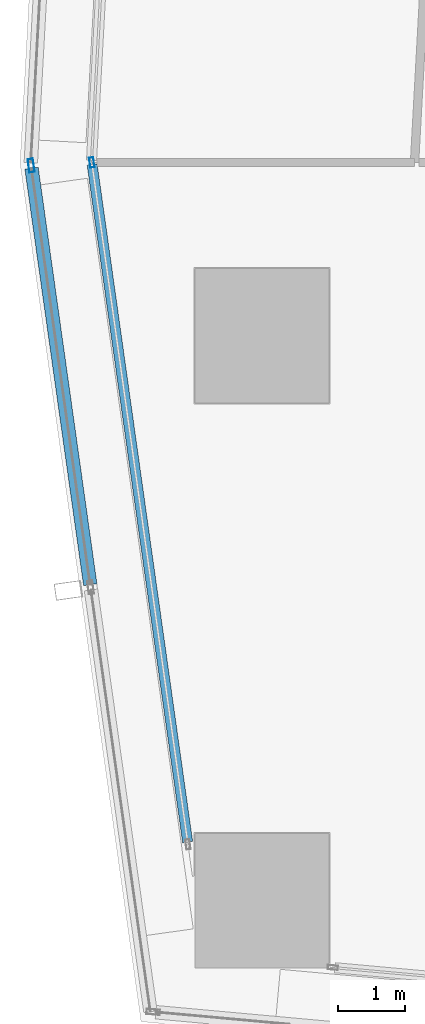
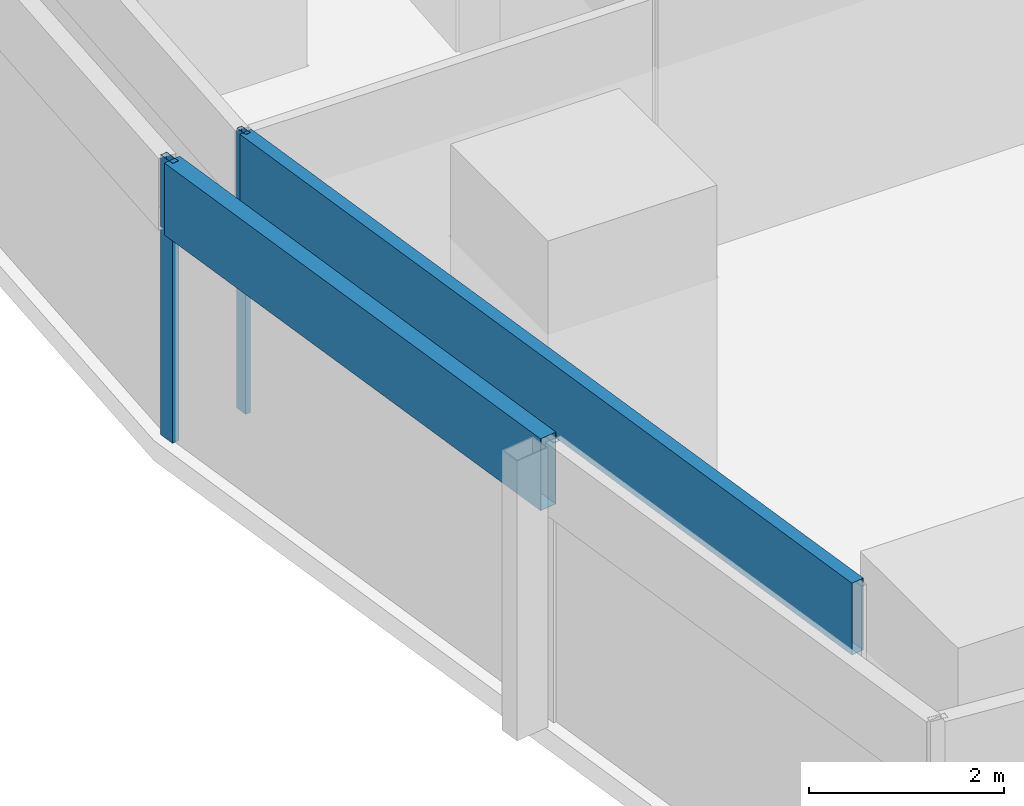
# One storey, part 4 of 39: 4 members, 2 elements without a shape of their own.
"""IFC4 building model written with IfcOpenShell, lengths in metres."""

from ifc_helpers import new_model, si_unit, direction, frame, origin, origin_2d, place, context, subcontext, project, spatial, hollow_rectangle, extrude, material, material_profile, profile_set, type_object, element, aggregate, save


model = new_model("IFC4")

# Units and contexts
model_context = context("Model", 3, precision=1e-05, world=origin(), true_north=direction((0.0, 1.0)))
body_context = subcontext(model_context, "Body", "Model", "MODEL_VIEW")
ifc_project = project(units=[si_unit("LENGTHUNIT", "METRE"), si_unit("AREAUNIT", "SQUARE_METRE"), si_unit("VOLUMEUNIT", "CUBIC_METRE"), si_unit("PLANEANGLEUNIT", "RADIAN"), si_unit("MASSUNIT", "GRAM", prefix="KILO")], contexts=[model_context])

# Site, building, storey
site_placement = place(None, origin())
site = spatial("IfcSite", under=ifc_project, at=site_placement, CompositionType="ELEMENT")
building_placement = place(site_placement, origin())
building = spatial("IfcBuilding", under=site, at=building_placement, Name="Rekha Terrace Tower", CompositionType="ELEMENT")
storey_placement = place(building_placement, frame((0.0, 0.0, 151.550048828125)))
storey = spatial("IfcBuildingStorey", under=building, at=storey_placement, Name="L38", CompositionType="ELEMENT", Elevation=151.550048828125)

# Curtain wall, members
ifc_material_1 = material(Name="Aluminium framing", Category="aluminium")
curtain_wall_type_1 = type_object("IfcCurtainWallType", Name="CW1 double skin inner glazing", PredefinedType="USERDEFINED", material=ifc_material_1)
curtain_wall_1_placement = place(storey_placement, origin())
curtain_wall_1 = element("IfcCurtainWall", 1, at=curtain_wall_1_placement, inside=storey, type_object=curtain_wall_type_1, Name="CW1 double skin inner glazing", ObjectType="DOUBLE SKIN INNER GLAZING", PredefinedType="USERDEFINED")
ifc_material_2 = material(Name="Aluminium mullion section", Category="aluminium")
ifc_material_profile_1 = material_profile(ifc_material_2, hollow_rectangle(XDim=0.06494140625, YDim=0.14990234375, WallThickness=0.00390625, at=origin_2d()), Name="AL RHS 65x150")
ifc_profile_set_1 = profile_set([ifc_material_profile_1], Name="Aluminium mullion section")
member_type_1 = type_object("IfcMemberType", Name="CW1 mullion RHS 65 x 150", PredefinedType="MULLION", material=ifc_profile_set_1)
member_1_placement = place(storey_placement, frame((5.86865234375, 27.78125, 0.0), z_axis=(0.0, 0.0, 1.0), x_axis=(0.990208394312, 0.139597048082, 0.0)))
member_1 = element("IfcMember", 2, at=member_1_placement, type_object=member_type_1, Name="CW1 mullion 1", PredefinedType="MULLION", context=body_context, shape_type="SweptSolid", body=[
    extrude(hollow_rectangle(XDim=0.06494140625, YDim=0.14990234375, WallThickness=0.00390625, at=origin_2d()), origin(), (0.0, 0.0, 1.0), 3.5),
])
ifc_material_3 = material(Name="Insulated aluminium spandrel box", Category="aluminium")
ifc_material_profile_2 = material_profile(ifc_material_3, hollow_rectangle(XDim=0.14990234375, YDim=0.89990234375, WallThickness=0.0029296875, at=origin_2d()), Name="AL SPANDREL BOX 150x900")
ifc_profile_set_2 = profile_set([ifc_material_profile_2], Name="Insulated aluminium spandrel box")
member_type_2 = type_object("IfcMemberType", Name="CW1 spandrel transom 150 x 900", PredefinedType="USERDEFINED", material=ifc_profile_set_2)
member_2_placement = place(storey_placement, frame((5.873046875, 27.7490234375, 3.050048828125), z_axis=(0.139597711184, -0.99020830083, 0.0), x_axis=(0.99020830083, 0.139597711184, 0.0)))
member_2 = element("IfcMember", 3, at=member_2_placement, type_object=member_type_2, Name="CW1 spandrel transom 1", ObjectType="TRANSOM", PredefinedType="USERDEFINED", context=body_context, shape_type="SweptSolid", body=[
    extrude(hollow_rectangle(XDim=0.14990234375, YDim=0.89990234375, WallThickness=0.0029296875, at=origin_2d()), origin(), (0.0, 0.0, 1.0), 10.178466796875),
])
aggregate(curtain_wall_1, [member_1, member_2])

curtain_wall_type_2 = type_object("IfcCurtainWallType", Name="CW2 double skin outer glazing", PredefinedType="USERDEFINED", material=ifc_material_1)
curtain_wall_2_placement = place(storey_placement, origin())
curtain_wall_2 = element("IfcCurtainWall", 4, at=curtain_wall_2_placement, inside=storey, type_object=curtain_wall_type_2, Name="CW2 double skin outer glazing", ObjectType="DOUBLE SKIN OUTER GLAZING", PredefinedType="USERDEFINED")
ifc_material_profile_3 = material_profile(ifc_material_2, hollow_rectangle(XDim=0.080078125, YDim=0.199951171875, WallThickness=0.00390625, at=origin_2d()), Name="AL RHS 80x200")
ifc_profile_set_3 = profile_set([ifc_material_profile_3], Name="Aluminium mullion section")
member_type_3 = type_object("IfcMemberType", Name="CW2 mullion RHS 80 x 200", PredefinedType="MULLION", material=ifc_profile_set_3)
member_3_placement = place(storey_placement, frame((4.96630859375, 27.7353515625, 0.0), z_axis=(0.0, 0.0, 1.0), x_axis=(0.990208394312, 0.139597048082, 0.0)))
member_3 = element("IfcMember", 5, at=member_3_placement, type_object=member_type_3, Name="CW2 mullion 1", PredefinedType="MULLION", context=body_context, shape_type="SweptSolid", body=[
    extrude(hollow_rectangle(XDim=0.080078125, YDim=0.199951171875, WallThickness=0.00390625, at=origin_2d()), origin(), (0.0, 0.0, 1.0), 3.5),
])
ifc_material_profile_4 = material_profile(ifc_material_3, hollow_rectangle(XDim=0.199951171875, YDim=0.89990234375, WallThickness=0.0029296875, at=origin_2d()), Name="AL SPANDREL BOX 200x900")
ifc_profile_set_4 = profile_set([ifc_material_profile_4], Name="Insulated aluminium spandrel box")
member_type_4 = type_object("IfcMemberType", Name="CW2 spandrel transom 200 x 900", PredefinedType="USERDEFINED", material=ifc_profile_set_4)
member_4_placement = place(storey_placement, frame((4.9716796875, 27.695556640625, 3.050048828125), z_axis=(0.139596256865, -0.990208505856, 0.0), x_axis=(0.990208505856, 0.139596256865, 0.0)))
member_4 = element("IfcMember", 6, at=member_4_placement, type_object=member_type_4, Name="CW2 spandrel transom 1", ObjectType="TRANSOM", PredefinedType="USERDEFINED", context=body_context, shape_type="SweptSolid", body=[
    extrude(hollow_rectangle(XDim=0.199951171875, YDim=0.89990234375, WallThickness=0.0029296875, at=origin_2d()), origin(), (0.0, 0.0, 1.0), 6.255859375),
])
aggregate(curtain_wall_2, [member_3, member_4])

save(model, "model.ifc")
